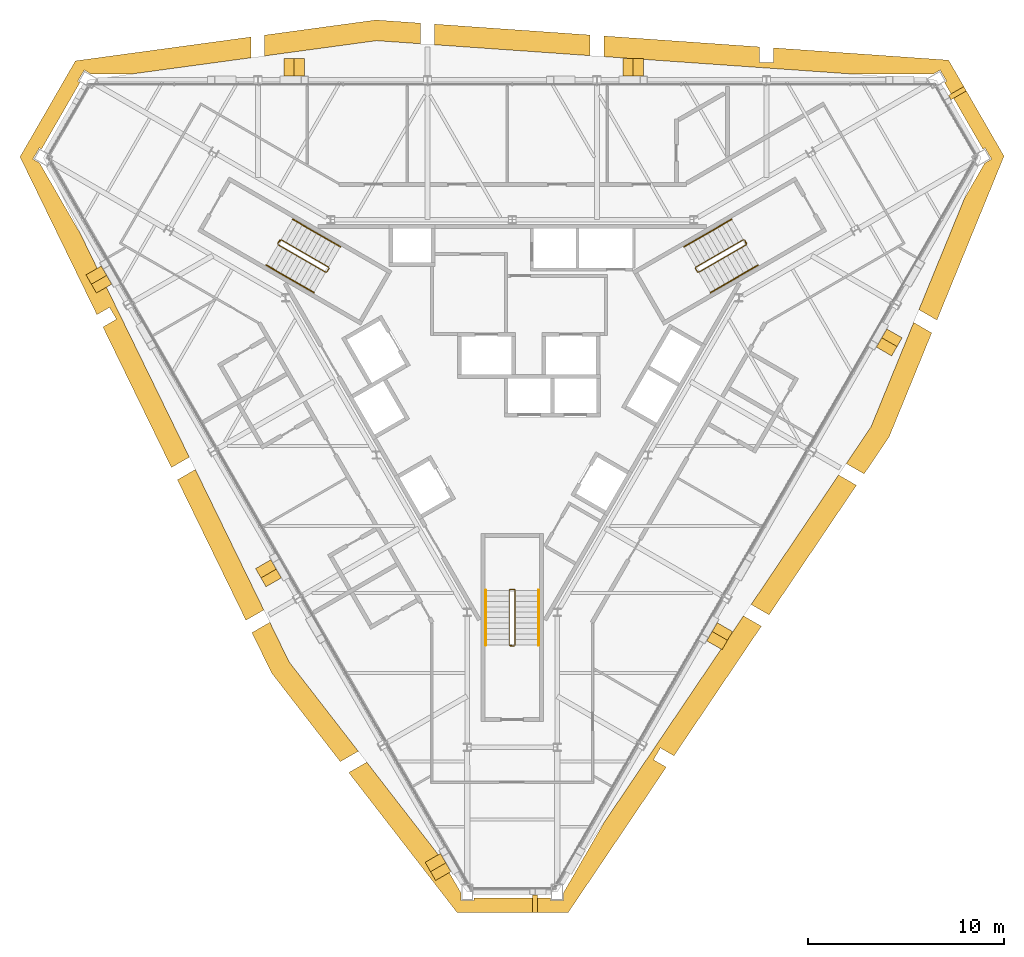
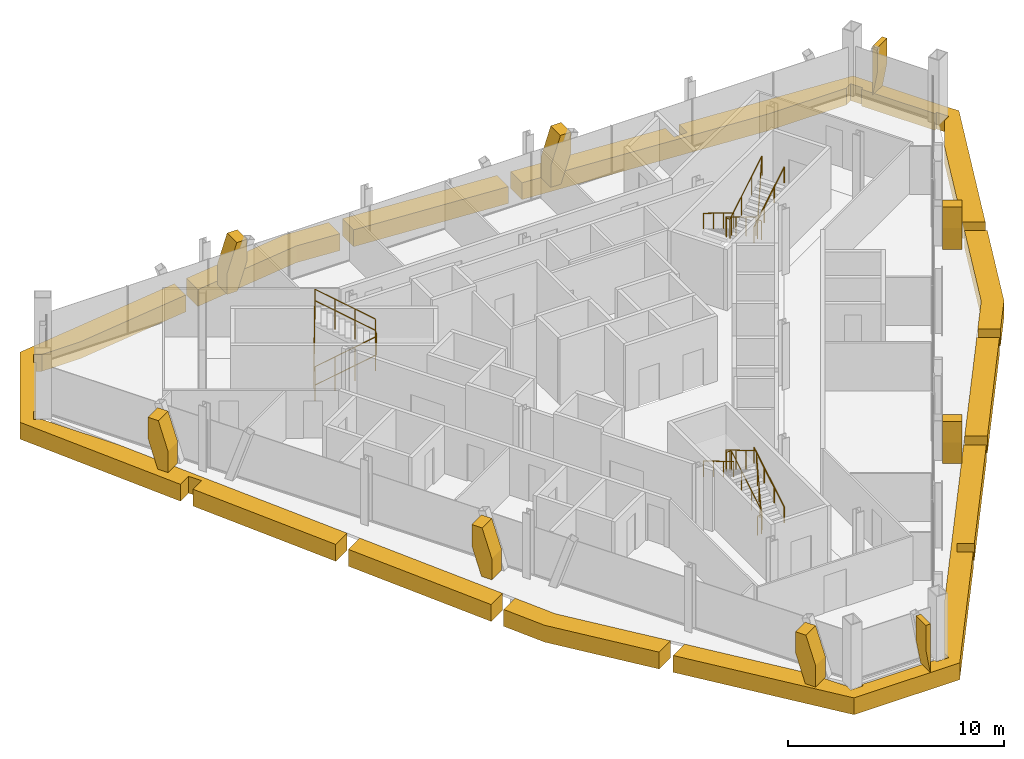
# One storey, part 13 of 13: 18 coverings, 9 railings.
"""IFC4 building model written with IfcOpenShell, lengths in metres."""

import ifcopenshell
import ifcopenshell.guid

model = None  # the IFC model being written
_history = None  # IfcOwnerHistory: only IFC2X3 demands one
_inside = {}  # id of a spatial element -> (the spatial element, [elements in it])
_under = {}  # id of a project, library or spatial element -> (it, [spatial elements below it])
_declared = {}  # id of a project -> (the project, [libraries it declares])
_typed = {}  # id of a type object -> (the type object, [elements of that type])
_made_of = {}  # id of a material, layer set ... -> (it, [elements and type objects made of it])


def new_model(schema):
    """Start an empty IFC model of exactly this schema.

    Asked for "IFC4X3", IfcOpenShell would pick the latest addendum, in which some entities
    have other attributes; the version numbers below select the first issue.
    IFC2X3 requires an IfcOwnerHistory on every rooted entity: one is made here for all.
    """
    global model, _history
    if schema == "IFC4X3":
        model = ifcopenshell.file(schema_version=(4, 3, 0, 0))
    else:
        model = ifcopenshell.file(schema=schema)
    _inside.clear()
    _under.clear()
    _declared.clear()
    _typed.clear()
    _made_of.clear()
    _history = None
    if model.schema == "IFC2X3":
        org = make("IfcOrganization", Name="unknown")
        user = make(
            "IfcPersonAndOrganization",
            ThePerson=make("IfcPerson", FamilyName="unknown"),
            TheOrganization=org,
        )
        app = make(
            "IfcApplication",
            ApplicationDeveloper=org,
            Version="unknown",
            ApplicationFullName="unknown",
            ApplicationIdentifier="unknown",
        )
        _history = make(
            "IfcOwnerHistory",
            OwningUser=user,
            OwningApplication=app,
            ChangeAction="ADDED",
            CreationDate=0,
        )
    return model


def make(cls, **values):
    """One entity of the class cls with the attributes given. An attribute that is None is left unset."""
    return model.create_entity(
        cls, **{name: value for name, value in values.items() if value is not None}
    )


def rooted(cls, **values):
    """An entity with a GlobalId (a new one), such as an element, a storey or a relation."""
    return make(cls, GlobalId=ifcopenshell.guid.new(), OwnerHistory=_history, **values)


def si_unit(unit_type, name, prefix=None):
    """IfcSIUnit, for example si_unit("LENGTHUNIT", "METRE", prefix="MILLI")."""
    return make("IfcSIUnit", UnitType=unit_type, Prefix=prefix, Name=name)


def assignment(units):
    """IfcUnitAssignment: the units of a project."""
    return None if units is None else make("IfcUnitAssignment", Units=units)


def point(xyz):
    """IfcCartesianPoint."""
    return None if xyz is None else make("IfcCartesianPoint", Coordinates=xyz)


def direction(xyz):
    """IfcDirection."""
    return None if xyz is None else make("IfcDirection", DirectionRatios=xyz)


def frame(location, z_axis=None, x_axis=None):
    """IfcAxis2Placement3D, a coordinate frame: its origin and axes. An axis left out is left unset."""
    return make(
        "IfcAxis2Placement3D",
        Location=point(location),
        Axis=direction(z_axis),
        RefDirection=direction(x_axis),
    )


def frame_2d(location, x_axis=None):
    """IfcAxis2Placement2D, a coordinate frame in the plane: its origin and x axis."""
    return make(
        "IfcAxis2Placement2D", Location=point(location), RefDirection=direction(x_axis)
    )


def origin():
    """The frame at (0, 0, 0) with its axes left unset."""
    return frame((0.0, 0.0, 0.0))


def origin_2d():
    """The frame at (0, 0) in the plane with its x axis left unset."""
    return frame_2d((0.0, 0.0))


def place(relative_to, where):
    """IfcLocalPlacement: puts the frame where relative to a parent placement (None: the world)."""
    return make(
        "IfcLocalPlacement", PlacementRelTo=relative_to, RelativePlacement=where
    )


def context(
    kind, dimensions, precision=None, world=None, true_north=None, identifier=None
):
    """IfcGeometricRepresentationContext, for example the 3D "Model" context."""
    return make(
        "IfcGeometricRepresentationContext",
        ContextIdentifier=identifier,
        ContextType=kind,
        CoordinateSpaceDimension=dimensions,
        Precision=precision,
        WorldCoordinateSystem=world,
        TrueNorth=true_north,
    )


def subcontext(parent, identifier, kind, view, scale=None):
    """IfcGeometricRepresentationSubContext, for example "Body" below "Model"."""
    return make(
        "IfcGeometricRepresentationSubContext",
        ContextIdentifier=identifier,
        ContextType=kind,
        ParentContext=parent,
        TargetScale=scale,
        TargetView=view,
    )


def project(units=None, contexts=None):
    """IfcProject with its units and contexts."""
    return rooted(
        "IfcProject",
        Name="project",
        RepresentationContexts=contexts,
        UnitsInContext=assignment(units),
    )


def spatial(cls, under=None, at=None, **own):
    """A site, building, storey or space (cls), placed at a placement, below another one or the project."""
    s = rooted(cls, ObjectPlacement=at, **own)
    if under is not None:
        _under.setdefault(under.id(), (under, []))[1].append(s)
    return s


def polyline(points):
    """IfcPolyline through the points."""
    return make("IfcPolyline", Points=[point(p) for p in points])


def profile(cls, at=None, kind="AREA", **sizes):
    """A parametric profile (cls). Its sizes go by their IFC names, for example OverallWidth=200.0."""
    return make(cls, ProfileType=kind, Position=at, **sizes)


def circle(**sizes):
    """IfcCircleProfileDef."""
    return profile("IfcCircleProfileDef", **sizes)


def outline(outer, holes=None, kind="AREA"):
    """IfcArbitraryClosedProfileDef: a profile drawn as a closed curve; with holes, ...WithVoids."""
    if holes is None:
        return make("IfcArbitraryClosedProfileDef", ProfileType=kind, OuterCurve=outer)
    return make(
        "IfcArbitraryProfileDefWithVoids",
        ProfileType=kind,
        OuterCurve=outer,
        InnerCurves=holes,
    )


def extrude(swept, where, along, depth):
    """IfcExtrudedAreaSolid: the profile swept, set in the frame where, extruded along a direction by depth."""
    return make(
        "IfcExtrudedAreaSolid",
        SweptArea=swept,
        Position=where,
        ExtrudedDirection=direction(along),
        Depth=depth,
    )


def shape(context_of_items, identifier, shape_type, items):
    """IfcShapeRepresentation: the items that make up one representation, for example the "Body"."""
    return make(
        "IfcShapeRepresentation",
        ContextOfItems=context_of_items,
        RepresentationIdentifier=identifier,
        RepresentationType=shape_type,
        Items=items,
    )


def material(Name=None, Category=None):
    """IfcMaterial."""
    return make("IfcMaterial", Name=Name, Category=Category)


def layer(
    of_material, thickness, ventilated=None, Name=None, Category=None, Priority=None
):
    """IfcMaterialLayer: one layer of a wall or slab, of a material (None: an air gap)."""
    return make(
        "IfcMaterialLayer",
        Material=of_material,
        LayerThickness=thickness,
        IsVentilated=ventilated,
        Name=Name,
        Category=Category,
        Priority=Priority,
    )


def layer_set(layers, Name=None):
    """IfcMaterialLayerSet."""
    return make("IfcMaterialLayerSet", MaterialLayers=layers, LayerSetName=Name)


def made_of(thing, what):
    """Note that an element or type object is made of a material, layer set ...; save() writes the relation."""
    if what is not None:
        _made_of.setdefault(what.id(), (what, []))[1].append(thing)
    return thing


def type_object(cls, material=None, **own):
    """A type object (cls), such as IfcWallType, which elements share."""
    return made_of(rooted(cls, **own), material)


def element(
    cls,
    number,
    at=None,
    inside=None,
    cuts=None,
    type_object=None,
    material=None,
    context=None,
    identifier="Body",
    shape_type=None,
    held_by="IfcProductDefinitionShape",
    body=None,
    shapes=None,
    **own,
):
    """One element of the class cls, such as IfcWall. Its Tag is "e" and its number.

    at: its placement. inside: the storey or other place that contains it. cuts: it is an
    opening in that element (IfcRelVoidsElement). A single representation is given by context,
    identifier, shape_type and body (its items); several are given by shapes. held_by: the class
    of the entity that holds the representations. save() writes the other relations.
    """
    e = rooted(cls, Tag="e%d" % number, ObjectPlacement=at, **own)
    if body is not None:
        shapes = [shape(context, identifier, shape_type, body)]
    if shapes is not None:
        e.Representation = make(held_by, Representations=shapes)
    if inside is not None:
        _inside.setdefault(inside.id(), (inside, []))[1].append(e)
    if cuts is not None:
        rooted(
            "IfcRelVoidsElement", RelatingBuildingElement=cuts, RelatedOpeningElement=e
        )
    if type_object is not None:
        _typed.setdefault(type_object.id(), (type_object, []))[1].append(e)
    return made_of(e, material)


def aggregate(whole, parts):
    """IfcRelAggregates: a whole, such as a stair, and the parts it consists of."""
    return rooted("IfcRelAggregates", RelatingObject=whole, RelatedObjects=parts)


def save(model, path):
    """Write the relations noted so far, then the file.

    IfcRelAggregates (storeys below a building ...), IfcRelContainedInSpatialStructure (elements
    in a storey), IfcRelDefinesByType, IfcRelAssociatesMaterial and IfcRelDeclares: one each for
    every whole, place, type object, material and project.
    """
    for whole, parts in _under.values():
        aggregate(whole, parts)
    for where, things in _inside.values():
        rooted(
            "IfcRelContainedInSpatialStructure",
            RelatedElements=things,
            RelatingStructure=where,
        )
    for kind, things in _typed.values():
        rooted("IfcRelDefinesByType", RelatedObjects=things, RelatingType=kind)
    for what, things in _made_of.values():
        rooted("IfcRelAssociatesMaterial", RelatedObjects=things, RelatingMaterial=what)
    for by, libraries in _declared.values():
        rooted("IfcRelDeclares", RelatingContext=by, RelatedDefinitions=libraries)
    model.write(path)


model = new_model("IFC4")

# Units and contexts
model_context = context("Model", 3, precision=1e-05, world=origin(), true_north=direction((0.0, 1.0)))
body_context = subcontext(model_context, "Body", "Model", "MODEL_VIEW")
ifc_project = project(units=[si_unit("LENGTHUNIT", "METRE"), si_unit("AREAUNIT", "SQUARE_METRE"), si_unit("VOLUMEUNIT", "CUBIC_METRE"), si_unit("PLANEANGLEUNIT", "RADIAN"), si_unit("MASSUNIT", "GRAM", prefix="KILO")], contexts=[model_context])

# Site, building, storey
site_placement = place(None, origin())
site = spatial("IfcSite", under=ifc_project, at=site_placement, CompositionType="ELEMENT")
building_placement = place(site_placement, origin())
building = spatial("IfcBuilding", under=site, at=building_placement, Name="Verrane Prism Tower", CompositionType="ELEMENT")
storey_placement = place(building_placement, frame((0.0, 0.0, 210.10009765625)))
storey = spatial("IfcBuildingStorey", under=building, at=storey_placement, Name="L52", CompositionType="ELEMENT", Elevation=210.10009765625)

# Railings
ifc_material_1 = material(Name="Steel A36 rail and posts, no infill", Category="steel")
railing_type_1 = type_object("IfcRailingType", Name="Stair guard 1100 steel rail and posts", PredefinedType="GUARDRAIL", material=ifc_material_1)
railing_1_placement = place(storey_placement, frame((11.78955078125, 6.97998046875, 0.16796875)))
element("IfcRailing", 1, at=railing_1_placement, inside=storey, type_object=railing_type_1, Name="Stair 1 guard", PredefinedType="GUARDRAIL", context=body_context, shape_type="SweptSolid", body=[
    extrude(circle(Radius=0.02392578125, at=origin_2d()), frame((0.0, 0.0, 1.076171875), z_axis=(-0.742366697286, -0.42866220388, 0.514917859203), x_axis=(0.500049511043, -0.865996816683, 0.0)), (0.0, 0.0, 1.0), 3.266357421875),
    extrude(circle(Radius=0.02392578125, at=origin_2d()), frame((-2.4248046875, -1.400146484375, 2.7578125), z_axis=(-0.259601060869, -0.965715946433, 0.0), x_axis=(0.965715946433, -0.259601060869, 0.0)), (0.0, 0.0, 1.0), 0.070556640625),
    extrude(circle(Radius=0.02392578125, at=origin_2d()), frame((-2.443115234375, -1.46826171875, 2.7578125), z_axis=(0.499158860599, -0.866510491504, 0.0), x_axis=(0.866510491504, 0.499158860599, 0.0)), (0.0, 0.0, 1.0), 0.199951171875),
    extrude(circle(Radius=0.02392578125, at=origin_2d()), frame((-2.34326171875, -1.6416015625, 2.7578125), z_axis=(0.374585375571, -0.100335368456, 0.921747584887), x_axis=(0.258736085224, 0.965948051503, 0.0)), (0.0, 0.0, 1.0), 0.182373046875),
    extrude(circle(Radius=0.02392578125, at=origin_2d()), frame((-2.27490234375, -1.659912109375, 2.92626953125), z_axis=(0.742366697286, 0.42866220388, 0.514917859203), x_axis=(-0.500049511043, 0.865996816683, 0.0)), (0.0, 0.0, 1.0), 3.266357421875),
    extrude(circle(Radius=0.02392578125, at=origin_2d()), frame((0.14990234375, -0.259765625, 4.60791015625), z_axis=(-0.021986835041, 0.065104730107, -0.997636182785), x_axis=(-0.947430582667, -0.3199613899, 0.0)), (0.0, 0.0, 1.0), 3.708740234375),
    extrude(circle(Radius=0.02392578125, at=origin_2d()), frame((0.068359375, -0.018310546875, 0.908203125), z_axis=(0.499158860599, -0.866510491504, 0.0), x_axis=(0.866510491504, 0.499158860599, 0.0)), (0.0, 0.0, 1.0), 0.199951171875),
    extrude(circle(Radius=0.02099609375, at=origin_2d()), origin(), (0.0, 0.0, 1.0), 1.052001953125),
    extrude(circle(Radius=0.02099609375, at=origin_2d()), frame((-0.808349609375, -0.466796875, 0.560546875)), (0.0, 0.0, 1.0), 1.052001953125),
    extrude(circle(Radius=0.02099609375, at=origin_2d()), frame((-1.616455078125, -0.933349609375, 1.121337890625)), (0.0, 0.0, 1.0), 1.052001953125),
    extrude(circle(Radius=0.02099609375, at=origin_2d()), frame((-2.4248046875, -1.400146484375, 1.681884765625)), (0.0, 0.0, 1.0), 1.052001953125),
    extrude(circle(Radius=0.02099609375, at=origin_2d()), frame((-2.443115234375, -1.46826171875, 1.681884765625)), (0.0, 0.0, 1.0), 1.052001953125),
    extrude(circle(Radius=0.02099609375, at=origin_2d()), frame((-2.34326171875, -1.6416015625, 1.681884765625)), (0.0, 0.0, 1.0), 1.052001953125),
    extrude(circle(Radius=0.02099609375, at=origin_2d()), frame((-2.27490234375, -1.659912109375, 1.85009765625)), (0.0, 0.0, 1.0), 1.052001953125),
    extrude(circle(Radius=0.02099609375, at=origin_2d()), frame((-1.466552734375, -1.193115234375, 2.41064453125)), (0.0, 0.0, 1.0), 1.052001953125),
    extrude(circle(Radius=0.02099609375, at=origin_2d()), frame((-0.658447265625, -0.7265625, 2.971435546875)), (0.0, 0.0, 1.0), 1.052001953125),
    extrude(circle(Radius=0.02099609375, at=origin_2d()), frame((0.14990234375, -0.259765625, 3.531982421875)), (0.0, 0.0, 1.0), 1.052001953125),
    extrude(circle(Radius=0.02099609375, at=origin_2d()), frame((0.12939453125, -0.199462890625, 2.60693359375)), (0.0, 0.0, 1.0), 1.052001953125),
    extrude(circle(Radius=0.02099609375, at=origin_2d()), frame((0.109130859375, -0.13916015625, 1.68212890625)), (0.0, 0.0, 1.0), 1.052001953125),
    extrude(circle(Radius=0.02099609375, at=origin_2d()), frame((0.0888671875, -0.07861328125, 0.757080078125)), (0.0, 0.0, 1.0), 1.052001953125),
    extrude(circle(Radius=0.02099609375, at=origin_2d()), frame((0.068359375, -0.018310546875, -0.16796875)), (0.0, 0.0, 1.0), 1.052001953125),
    extrude(circle(Radius=0.02099609375, at=origin_2d()), frame((0.168212890625, -0.191650390625, -0.16796875)), (0.0, 0.0, 1.0), 1.052001953125),
])
railing_2_placement = place(storey_placement, frame((-11.939453125, 6.72021484375, 0.16796875)))
element("IfcRailing", 2, at=railing_2_placement, inside=storey, type_object=railing_type_1, Name="Stair 2 guard", PredefinedType="GUARDRAIL", context=body_context, shape_type="SweptSolid", body=[
    extrude(circle(Radius=0.02392578125, at=origin_2d()), frame((0.0, 0.0, 1.076171875), z_axis=(0.742366697286, -0.42866220388, 0.514917859203), x_axis=(0.500049511043, 0.865996816683, 0.0)), (0.0, 0.0, 1.0), 3.266357421875),
    extrude(circle(Radius=0.02392578125, at=origin_2d()), frame((2.4248046875, -1.400146484375, 2.7578125), z_axis=(0.965948051503, 0.258736085224, 0.0), x_axis=(-0.258736085224, 0.965948051503, 0.0)), (0.0, 0.0, 1.0), 0.07080078125),
    extrude(circle(Radius=0.02392578125, at=origin_2d()), frame((2.4931640625, -1.3818359375, 2.7578125), z_axis=(0.499158860599, 0.866510491504, 0.0), x_axis=(-0.866510491504, 0.499158860599, 0.0)), (0.0, 0.0, 1.0), 0.199951171875),
    extrude(circle(Radius=0.02392578125, at=origin_2d()), frame((2.593017578125, -1.20849609375, 2.7578125), z_axis=(-0.100385596638, 0.373434419493, 0.922209014446), x_axis=(-0.965715946433, -0.259601060869, 0.0)), (0.0, 0.0, 1.0), 0.182373046875),
    extrude(circle(Radius=0.02392578125, at=origin_2d()), frame((2.57470703125, -1.140380859375, 2.92626953125), z_axis=(-0.742366697286, 0.42866220388, 0.514917859203), x_axis=(-0.500049511043, -0.865996816683, 0.0)), (0.0, 0.0, 1.0), 3.266357421875),
    extrude(circle(Radius=0.02392578125, at=origin_2d()), frame((0.14990234375, 0.259765625, 4.60791015625), z_axis=(-0.04535595117, -0.051675503147, -0.99763343973), x_axis=(0.751567565678, -0.659656118156, 0.0)), (0.0, 0.0, 1.0), 3.708740234375),
    extrude(circle(Radius=0.02392578125, at=origin_2d()), frame((-0.018310546875, 0.068115234375, 0.908203125), z_axis=(0.499158860599, 0.866510491504, 0.0), x_axis=(-0.866510491504, 0.499158860599, 0.0)), (0.0, 0.0, 1.0), 0.199951171875),
    extrude(circle(Radius=0.02099609375, at=origin_2d()), origin(), (0.0, 0.0, 1.0), 1.052001953125),
    extrude(circle(Radius=0.02099609375, at=origin_2d()), frame((0.808349609375, -0.466796875, 0.560546875)), (0.0, 0.0, 1.0), 1.052001953125),
    extrude(circle(Radius=0.02099609375, at=origin_2d()), frame((1.616455078125, -0.933349609375, 1.121337890625)), (0.0, 0.0, 1.0), 1.052001953125),
    extrude(circle(Radius=0.02099609375, at=origin_2d()), frame((2.4248046875, -1.400146484375, 1.681884765625)), (0.0, 0.0, 1.0), 1.052001953125),
    extrude(circle(Radius=0.02099609375, at=origin_2d()), frame((2.4931640625, -1.3818359375, 1.681884765625)), (0.0, 0.0, 1.0), 1.052001953125),
    extrude(circle(Radius=0.02099609375, at=origin_2d()), frame((2.593017578125, -1.20849609375, 1.681884765625)), (0.0, 0.0, 1.0), 1.052001953125),
    extrude(circle(Radius=0.02099609375, at=origin_2d()), frame((2.57470703125, -1.140380859375, 1.85009765625)), (0.0, 0.0, 1.0), 1.052001953125),
    extrude(circle(Radius=0.02099609375, at=origin_2d()), frame((1.766357421875, -0.673583984375, 2.41064453125)), (0.0, 0.0, 1.0), 1.052001953125),
    extrude(circle(Radius=0.02099609375, at=origin_2d()), frame((0.958251953125, -0.20703125, 2.971435546875)), (0.0, 0.0, 1.0), 1.052001953125),
    extrude(circle(Radius=0.02099609375, at=origin_2d()), frame((0.14990234375, 0.259765625, 3.531982421875)), (0.0, 0.0, 1.0), 1.052001953125),
    extrude(circle(Radius=0.02099609375, at=origin_2d()), frame((0.10791015625, 0.2119140625, 2.60693359375)), (0.0, 0.0, 1.0), 1.052001953125),
    extrude(circle(Radius=0.02099609375, at=origin_2d()), frame((0.06591796875, 0.1640625, 1.68212890625)), (0.0, 0.0, 1.0), 1.052001953125),
    extrude(circle(Radius=0.02099609375, at=origin_2d()), frame((0.023681640625, 0.115966796875, 0.757080078125)), (0.0, 0.0, 1.0), 1.052001953125),
    extrude(circle(Radius=0.02099609375, at=origin_2d()), frame((-0.018310546875, 0.068115234375, -0.16796875)), (0.0, 0.0, 1.0), 1.052001953125),
    extrude(circle(Radius=0.02099609375, at=origin_2d()), frame((0.08154296875, 0.241455078125, -0.16796875)), (0.0, 0.0, 1.0), 1.052001953125),
])
railing_3_placement = place(storey_placement, frame((0.14990234375, -13.699951171875, 0.16796875)))
element("IfcRailing", 3, at=railing_3_placement, inside=storey, type_object=railing_type_1, Name="Stair 3 guard", PredefinedType="GUARDRAIL", context=body_context, shape_type="SweptSolid", body=[
    extrude(circle(Radius=0.02392578125, at=origin_2d()), frame((0.0, 0.0, 1.076171875), z_axis=(0.0, 0.857242210791, 0.514913383045), x_axis=(-1.0, 0.0, 0.0)), (0.0, 0.0, 1.0), 3.266357421875),
    extrude(circle(Radius=0.02392578125, at=origin_2d()), frame((0.0, 2.800048828125, 2.7578125), z_axis=(-0.707106781187, 0.707106781187, 0.0), x_axis=(-0.707106781187, -0.707106781187, 0.0)), (0.0, 0.0, 1.0), 0.0703125),
    extrude(circle(Radius=0.02392578125, at=origin_2d()), frame((-0.0498046875, 2.849853515625, 2.7578125), z_axis=(-1.0, 0.0, 0.0), x_axis=(0.0, -1.0, 0.0)), (0.0, 0.0, 1.0), 0.2001953125),
    extrude(circle(Radius=0.02392578125, at=origin_2d()), frame((-0.25, 2.849853515625, 2.7578125), z_axis=(-0.273106073848, -0.273106073848, 0.922402376869), x_axis=(0.707106781187, -0.707106781187, 0.0)), (0.0, 0.0, 1.0), 0.182373046875),
    extrude(circle(Radius=0.02392578125, at=origin_2d()), frame((-0.2998046875, 2.800048828125, 2.92626953125), z_axis=(0.0, -0.857242210791, 0.514913383045), x_axis=(1.0, 0.0, 0.0)), (0.0, 0.0, 1.0), 3.266357421875),
    extrude(circle(Radius=0.02392578125, at=origin_2d()), frame((-0.2998046875, 0.0, 4.60791015625), z_axis=(0.067408604812, -0.013494886706, -0.997634185476), x_axis=(0.196300278283, 0.98054382908, 0.0)), (0.0, 0.0, 1.0), 3.708740234375),
    extrude(circle(Radius=0.02392578125, at=origin_2d()), frame((-0.0498046875, -0.050048828125, 0.908203125), z_axis=(-1.0, 0.0, 0.0), x_axis=(0.0, -1.0, 0.0)), (0.0, 0.0, 1.0), 0.2001953125),
    extrude(circle(Radius=0.02099609375, at=origin_2d()), origin(), (0.0, 0.0, 1.0), 1.052001953125),
    extrude(circle(Radius=0.02099609375, at=origin_2d()), frame((0.0, 0.933349609375, 0.560546875)), (0.0, 0.0, 1.0), 1.052001953125),
    extrude(circle(Radius=0.02099609375, at=origin_2d()), frame((0.0, 1.86669921875, 1.121337890625)), (0.0, 0.0, 1.0), 1.052001953125),
    extrude(circle(Radius=0.02099609375, at=origin_2d()), frame((0.0, 2.800048828125, 1.681884765625)), (0.0, 0.0, 1.0), 1.052001953125),
    extrude(circle(Radius=0.02099609375, at=origin_2d()), frame((-0.0498046875, 2.849853515625, 1.681884765625)), (0.0, 0.0, 1.0), 1.052001953125),
    extrude(circle(Radius=0.02099609375, at=origin_2d()), frame((-0.25, 2.849853515625, 1.681884765625)), (0.0, 0.0, 1.0), 1.052001953125),
    extrude(circle(Radius=0.02099609375, at=origin_2d()), frame((-0.2998046875, 2.800048828125, 1.85009765625)), (0.0, 0.0, 1.0), 1.052001953125),
    extrude(circle(Radius=0.02099609375, at=origin_2d()), frame((-0.2998046875, 1.86669921875, 2.41064453125)), (0.0, 0.0, 1.0), 1.052001953125),
    extrude(circle(Radius=0.02099609375, at=origin_2d()), frame((-0.2998046875, 0.933349609375, 2.971435546875)), (0.0, 0.0, 1.0), 1.052001953125),
    extrude(circle(Radius=0.02099609375, at=origin_2d()), frame((-0.2998046875, 0.0, 3.531982421875)), (0.0, 0.0, 1.0), 1.052001953125),
    extrude(circle(Radius=0.02099609375, at=origin_2d()), frame((-0.2373046875, -0.012451171875, 2.60693359375)), (0.0, 0.0, 1.0), 1.052001953125),
    extrude(circle(Radius=0.02099609375, at=origin_2d()), frame((-0.1748046875, -0.02490234375, 1.68212890625)), (0.0, 0.0, 1.0), 1.052001953125),
    extrude(circle(Radius=0.02099609375, at=origin_2d()), frame((-0.1123046875, -0.03759765625, 0.757080078125)), (0.0, 0.0, 1.0), 1.052001953125),
    extrude(circle(Radius=0.02099609375, at=origin_2d()), frame((-0.0498046875, -0.050048828125, -0.16796875)), (0.0, 0.0, 1.0), 1.052001953125),
    extrude(circle(Radius=0.02099609375, at=origin_2d()), frame((-0.25, -0.050048828125, -0.16796875)), (0.0, 0.0, 1.0), 1.052001953125),
])
ifc_material_2 = material(Name="Steel A36 tube", Category="steel")
railing_type_2 = type_object("IfcRailingType", Name="Stair handrail 900 steel tube", PredefinedType="HANDRAIL", material=ifc_material_2)
railing_4_placement = place(storey_placement, frame((11.189453125, 8.01904296875, 0.16796875)))
element("IfcRailing", 4, at=railing_4_placement, inside=storey, type_object=railing_type_2, Name="Stair 1 handrail", PredefinedType="HANDRAIL", context=body_context, shape_type="SweptSolid", body=[
    extrude(circle(Radius=0.02392578125, at=origin_2d()), frame((0.0, 0.0, 0.8759765625), z_axis=(-0.742390482028, -0.42860119049, 0.514934356695), x_axis=(0.49998411664, -0.866034573852, 0.0)), (0.0, 0.0, 1.0), 3.26611328125),
    extrude(circle(Radius=0.02099609375, at=origin_2d()), origin(), (0.0, 0.0, 1.0), 0.851806640625),
    extrude(circle(Radius=0.02099609375, at=origin_2d()), frame((-0.808349609375, -0.466552734375, 0.560546875)), (0.0, 0.0, 1.0), 0.851806640625),
    extrude(circle(Radius=0.02099609375, at=origin_2d()), frame((-1.616455078125, -0.933349609375, 1.121337890625)), (0.0, 0.0, 1.0), 0.851806640625),
    extrude(circle(Radius=0.02099609375, at=origin_2d()), frame((-2.4248046875, -1.39990234375, 1.681884765625)), (0.0, 0.0, 1.0), 0.851806640625),
])
railing_5_placement = place(storey_placement, frame((10.11474609375, 4.28076171875, 2.01806640625)))
element("IfcRailing", 5, at=railing_5_placement, inside=storey, type_object=railing_type_2, Name="Stair 1 handrail", PredefinedType="HANDRAIL", context=body_context, shape_type="SweptSolid", body=[
    extrude(circle(Radius=0.02392578125, at=origin_2d()), frame((0.0, 0.0, 0.8759765625), z_axis=(0.742366697286, 0.42866220388, 0.514917859203), x_axis=(-0.500049511043, 0.865996816683, 0.0)), (0.0, 0.0, 1.0), 3.266357421875),
    extrude(circle(Radius=0.02099609375, at=origin_2d()), origin(), (0.0, 0.0, 1.0), 0.851806640625),
    extrude(circle(Radius=0.02099609375, at=origin_2d()), frame((0.808349609375, 0.466796875, 0.560546875)), (0.0, 0.0, 1.0), 0.851806640625),
    extrude(circle(Radius=0.02099609375, at=origin_2d()), frame((1.616455078125, 0.933349609375, 1.121337890625)), (0.0, 0.0, 1.0), 0.851806640625),
    extrude(circle(Radius=0.02099609375, at=origin_2d()), frame((2.4248046875, 1.400146484375, 1.681884765625)), (0.0, 0.0, 1.0), 0.851806640625),
])
railing_6_placement = place(storey_placement, frame((-12.53955078125, 5.680908203125, 0.16796875)))
element("IfcRailing", 6, at=railing_6_placement, inside=storey, type_object=railing_type_2, Name="Stair 2 handrail", PredefinedType="HANDRAIL", context=body_context, shape_type="SweptSolid", body=[
    extrude(circle(Radius=0.02392578125, at=origin_2d()), frame((0.0, 0.0, 0.8759765625), z_axis=(0.742366697286, -0.42866220388, 0.514917859203), x_axis=(0.500049511043, 0.865996816683, 0.0)), (0.0, 0.0, 1.0), 3.266357421875),
    extrude(circle(Radius=0.02099609375, at=origin_2d()), origin(), (0.0, 0.0, 1.0), 0.851806640625),
    extrude(circle(Radius=0.02099609375, at=origin_2d()), frame((0.808349609375, -0.466796875, 0.560546875)), (0.0, 0.0, 1.0), 0.851806640625),
    extrude(circle(Radius=0.02099609375, at=origin_2d()), frame((1.616455078125, -0.933349609375, 1.121337890625)), (0.0, 0.0, 1.0), 0.851806640625),
    extrude(circle(Radius=0.02099609375, at=origin_2d()), frame((2.4248046875, -1.400146484375, 1.681884765625)), (0.0, 0.0, 1.0), 0.851806640625),
])
railing_7_placement = place(storey_placement, frame((-8.7646484375, 6.619140625, 2.01806640625)))
element("IfcRailing", 7, at=railing_7_placement, inside=storey, type_object=railing_type_2, Name="Stair 2 handrail", PredefinedType="HANDRAIL", context=body_context, shape_type="SweptSolid", body=[
    extrude(circle(Radius=0.02392578125, at=origin_2d()), frame((0.0, 0.0, 0.8759765625), z_axis=(-0.742390482028, 0.42860119049, 0.514934356695), x_axis=(-0.49998411664, -0.866034573852, 0.0)), (0.0, 0.0, 1.0), 3.26611328125),
    extrude(circle(Radius=0.02099609375, at=origin_2d()), origin(), (0.0, 0.0, 1.0), 0.851806640625),
    extrude(circle(Radius=0.02099609375, at=origin_2d()), frame((-0.808349609375, 0.466552734375, 0.560546875)), (0.0, 0.0, 1.0), 0.851806640625),
    extrude(circle(Radius=0.02099609375, at=origin_2d()), frame((-1.616455078125, 0.933349609375, 1.121337890625)), (0.0, 0.0, 1.0), 0.851806640625),
    extrude(circle(Radius=0.02099609375, at=origin_2d()), frame((-2.4248046875, 1.39990234375, 1.681884765625)), (0.0, 0.0, 1.0), 0.851806640625),
])
railing_8_placement = place(storey_placement, frame((1.35009765625, -13.699951171875, 0.16796875)))
element("IfcRailing", 8, at=railing_8_placement, inside=storey, type_object=railing_type_2, Name="Stair 3 handrail", PredefinedType="HANDRAIL", context=body_context, shape_type="SweptSolid", body=[
    extrude(circle(Radius=0.02392578125, at=origin_2d()), frame((0.0, 0.0, 0.8759765625), z_axis=(0.0, 0.857242210791, 0.514913383045), x_axis=(-1.0, 0.0, 0.0)), (0.0, 0.0, 1.0), 3.266357421875),
    extrude(circle(Radius=0.02099609375, at=origin_2d()), origin(), (0.0, 0.0, 1.0), 0.851806640625),
    extrude(circle(Radius=0.02099609375, at=origin_2d()), frame((0.0, 0.933349609375, 0.560546875)), (0.0, 0.0, 1.0), 0.851806640625),
    extrude(circle(Radius=0.02099609375, at=origin_2d()), frame((0.0, 1.86669921875, 1.121337890625)), (0.0, 0.0, 1.0), 0.851806640625),
    extrude(circle(Radius=0.02099609375, at=origin_2d()), frame((0.0, 2.800048828125, 1.681884765625)), (0.0, 0.0, 1.0), 0.851806640625),
])
railing_9_placement = place(storey_placement, frame((-1.35009765625, -10.89990234375, 2.01806640625)))
element("IfcRailing", 9, at=railing_9_placement, inside=storey, type_object=railing_type_2, Name="Stair 3 handrail", PredefinedType="HANDRAIL", context=body_context, shape_type="SweptSolid", body=[
    extrude(circle(Radius=0.02392578125, at=origin_2d()), frame((0.0, 0.0, 0.8759765625), z_axis=(0.0, -0.857242210791, 0.514913383045), x_axis=(1.0, 0.0, 0.0)), (0.0, 0.0, 1.0), 3.266357421875),
    extrude(circle(Radius=0.02099609375, at=origin_2d()), origin(), (0.0, 0.0, 1.0), 0.851806640625),
    extrude(circle(Radius=0.02099609375, at=origin_2d()), frame((0.0, -0.933349609375, 0.560546875)), (0.0, 0.0, 1.0), 0.851806640625),
    extrude(circle(Radius=0.02099609375, at=origin_2d()), frame((0.0, -1.86669921875, 1.121337890625)), (0.0, 0.0, 1.0), 0.851806640625),
    extrude(circle(Radius=0.02099609375, at=origin_2d()), frame((0.0, -2.800048828125, 1.681884765625)), (0.0, 0.0, 1.0), 0.851806640625),
])

# Coverings
ifc_material_3 = material(Name="Warm limestone cladding", Category="masonry")
ifc_layer_1 = layer(ifc_material_3, 0.89990234375)
ifc_layer_set_1 = layer_set([ifc_layer_1], Name="Stone brace fin 900")
covering_type_1 = type_object("IfcCoveringType", Name="Stone brace fin 900", PredefinedType="CLADDING", material=ifc_layer_set_1)
for number, where, z_axis, x_axis, name in (
    (10, (5.639892578125, 15.783203125, 0.0), (0.0, 0.0, 1.0), (1.0, 0.0, 0.0), "Stone brace fin N2 L52"),
    (11, (-11.650146484375, 15.783203125, 0.0), (0.0, 0.0, 1.0), (1.0, 0.0, 0.0), "Stone brace fin N4 L52"),
):
    element("IfcCovering", number, at=place(storey_placement, frame(where, z_axis=z_axis, x_axis=x_axis)), inside=storey, type_object=covering_type_1, Name=name, PredefinedType="CLADDING", context=body_context, shape_type="SweptSolid", body=[
        extrude(outline(polyline([(1.0673828125, 2.75), (0.516357421875, 2.75), (0.0, 1.20361328125), (0.0, 0.0), (0.546875, 0.0), (1.0673828125, 1.558837890625), (1.0673828125, 2.75)])), frame((0.0, 0.449951171875, 0.0), z_axis=(0.0, -1.0, 0.0), x_axis=(1.0, 0.0, 0.0)), (0.0, 0.0, 1.0), 0.89990234375),
    ])
covering_1_placement = place(storey_placement, frame((-20.81494140625, 4.486572265625, 0.0), z_axis=(0.0, 0.0, 1.0), x_axis=(-0.499682839614, 0.866208439001, 0.0)))
element("IfcCovering", 12, at=covering_1_placement, inside=storey, type_object=covering_type_1, Name="Stone brace fin SW1 L52", PredefinedType="CLADDING", context=body_context, shape_type="SweptSolid", body=[
    extrude(outline(polyline([(1.067138671875, 2.75), (0.51611328125, 2.75), (0.0, 1.2041015625), (0.0, 0.0), (0.546875, 0.0), (1.067138671875, 1.558349609375), (1.067138671875, 2.75)])), frame((0.0, 0.449951171875, 0.0), z_axis=(0.0, -1.0, 0.0), x_axis=(1.0, 0.0, 0.0)), (0.0, 0.0, 1.0), 0.89990234375),
])
for number, where, z_axis, x_axis, name in (
    (13, (-12.166259765625, -10.494140625, 0.0), (0.0, 0.0, 1.0), (-0.500269979257, 0.865869475068, 0.0), "Stone brace fin SW3 L52"),
    (14, (-3.51611328125, -25.47412109375, 0.0), (0.0, 0.0, 1.0), (-0.500540438407, 0.865713156605, 0.0), "Stone brace fin SW5 L52"),
):
    element("IfcCovering", number, at=place(storey_placement, frame(where, z_axis=z_axis, x_axis=x_axis)), inside=storey, type_object=covering_type_1, Name=name, PredefinedType="CLADDING", context=body_context, shape_type="SweptSolid", body=[
        extrude(outline(polyline([(1.067626953125, 2.75), (0.5166015625, 2.75), (0.0, 1.20361328125), (0.0, 0.0), (0.546875, 0.0), (1.067626953125, 1.55908203125), (1.067626953125, 2.75)])), frame((0.0, 0.449951171875, 0.0), z_axis=(0.0, -1.0, 0.0), x_axis=(1.0, 0.0, 0.0)), (0.0, 0.0, 1.0), 0.89990234375),
    ])
for number, where, z_axis, x_axis, name in (
    (15, (10.8466796875, -12.779052734375, 0.0), (0.0, 0.0, 1.0), (-0.499583827826, -0.866265547609, 0.0), "Stone brace fin SE2 L52"),
    (16, (19.49658203125, 2.200927734375, 0.0), (0.0, 0.0, 1.0), (-0.499682839614, -0.866208439001, 0.0), "Stone brace fin SE4 L52"),
):
    element("IfcCovering", number, at=place(storey_placement, frame(where, z_axis=z_axis, x_axis=x_axis)), inside=storey, type_object=covering_type_1, Name=name, PredefinedType="CLADDING", context=body_context, shape_type="SweptSolid", body=[
        extrude(outline(polyline([(1.067138671875, 2.75), (0.51611328125, 2.75), (0.0, 1.2041015625), (0.0, 0.0), (0.546875, 0.0), (1.067138671875, 1.558349609375), (1.067138671875, 2.75)])), frame((0.0, 0.449951171875, 0.0), z_axis=(0.0, -1.0, 0.0), x_axis=(1.0, 0.0, 0.0)), (0.0, 0.0, 1.0), 0.89990234375),
    ])
for number, where, z_axis, x_axis, name in (
    (17, (22.6416015625, 14.564453125, 0.0), (0.0, 0.0, 1.0), (0.500024172624, -0.866011447264, 0.0), "Stone brace fin NE1 L52"),
    (18, (1.290283203125, -26.892333984375, 0.0), (0.0, 0.0, 1.0), (-1.0, 0.0, 0.0), "Stone brace fin S1 L52"),
):
    element("IfcCovering", number, at=place(storey_placement, frame(where, z_axis=z_axis, x_axis=x_axis)), inside=storey, type_object=covering_type_1, Name=name, PredefinedType="CLADDING", context=body_context, shape_type="SweptSolid", body=[
        extrude(outline(polyline([(0.256591796875, 2.75), (0.0, 2.75), (0.0, 0.0), (0.014892578125, 0.0), (0.256591796875, 1.365478515625), (0.256591796875, 2.75)])), frame((0.0, 0.449951171875, 0.0), z_axis=(0.0, -1.0, 0.0), x_axis=(1.0, 0.0, 0.0)), (0.0, 0.0, 1.0), 0.89990234375),
    ])
ifc_material_4 = material(Name="Warm limestone cladding", Category="masonry")
ifc_layer_2 = layer(ifc_material_4, 0.449951171875)
ifc_layer_set_2 = layer_set([ifc_layer_2], Name="Stone spandrel band 450")
covering_type_2 = type_object("IfcCoveringType", Name="Stone spandrel band 450", PredefinedType="CLADDING", material=ifc_layer_set_2)
covering_2_placement = place(storey_placement, frame((0.0, 0.0, -0.9501953125)))
element("IfcCovering", 19, at=covering_2_placement, inside=storey, type_object=covering_type_2, Name="Stone spandrel band L52 part 1", PredefinedType="CLADDING", context=body_context, shape_type="SweptSolid", body=[
    extrude(outline(polyline([(2.84912109375, -27.341796875), (7.85595703125, -19.92138671875), (7.20458984375, -19.545166015625), (7.5546875, -18.93896484375), (8.24853515625, -19.339599609375), (12.70556640625, -12.733642578125), (11.7939453125, -12.207275390625), (4.691650390625, -22.73388671875), (3.776611328125, -24.31884765625), (3.77880859375, -24.323974609375), (3.77197265625, -24.326904296875), (2.6201171875, -26.322021484375), (2.6201171875, -26.719970703125), (1.9599609375, -26.719970703125), (1.9599609375, -26.591796875), (-1.9599609375, -26.591796875), (-1.9599609375, -26.719970703125), (-2.6201171875, -26.719970703125), (-2.6201171875, -26.322021484375), (-3.653564453125, -24.53173828125), (-7.41845703125, -19.668701171875), (-8.336181640625, -20.198486328125), (-2.805908203125, -27.341796875), (2.84912109375, -27.341796875)])), origin(), (0.0, 0.0, 1.0), 0.9501953125),
])
covering_3_placement = place(storey_placement, frame((0.0, 0.0, -0.9501953125)))
element("IfcCovering", 20, at=covering_3_placement, inside=storey, type_object=covering_type_2, Name="Stone spandrel band L52 part 2", PredefinedType="CLADDING", context=body_context, shape_type="SweptSolid", body=[
    extrude(outline(polyline([(4.6748046875, 17.3701171875), (4.6748046875, 16.317626953125), (17.34228515625, 15.429931640625), (19.1748046875, 15.429931640625), (19.176513671875, 15.432373046875), (19.1796875, 15.429931640625), (21.4794921875, 15.429931640625), (21.827392578125, 15.630859375), (22.157470703125, 15.05908203125), (22.047607421875, 14.995849609375), (24.00927734375, 11.598388671875), (24.117431640625, 11.660888671875), (24.447509765625, 11.089111328125), (24.105224609375, 10.8916015625), (23.072021484375, 9.101806640625), (20.74267578125, 3.409912109375), (21.660400390625, 2.8798828125), (25.081787109375, 11.240966796875), (22.254150390625, 16.138427734375), (13.32421875, 16.76416015625), (13.32421875, 16.01416015625), (12.624267578125, 16.01416015625), (12.624267578125, 16.813232421875), (4.6748046875, 17.3701171875)])), origin(), (0.0, 0.0, 1.0), 0.9501953125),
])
covering_4_placement = place(storey_placement, frame((0.0, 0.0, -0.9501953125)))
element("IfcCovering", 21, at=covering_4_placement, inside=storey, type_object=covering_type_2, Name="Stone spandrel band L52 part 3", PredefinedType="CLADDING", context=body_context, shape_type="SweptSolid", body=[
    extrude(outline(polyline([(-17.38037109375, -4.63671875), (-16.46875, -4.1103515625), (-22.033935546875, 7.303955078125), (-24.105224609375, 10.8916015625), (-24.447509765625, 11.089111328125), (-24.117431640625, 11.660888671875), (-24.00927734375, 11.598388671875), (-22.047607421875, 14.995849609375), (-22.157470703125, 15.05908203125), (-21.827392578125, 15.630859375), (-21.4794921875, 15.429931640625), (-19.418212890625, 15.429931640625), (-13.32421875, 16.2587890625), (-13.32421875, 17.318603515625), (-22.275634765625, 16.10107421875), (-25.103271484375, 11.20361328125), (-21.180419921875, 3.1572265625), (-20.53271484375, 3.531005859375), (-20.1826171875, 2.9248046875), (-20.872802734375, 2.5263671875), (-17.38037109375, -4.63671875)])), origin(), (0.0, 0.0, 1.0), 0.9501953125),
])
covering_5_placement = place(storey_placement, frame((0.0, 0.0, -0.9501953125)))
element("IfcCovering", 22, at=covering_5_placement, inside=storey, type_object=covering_type_2, Name="Stone spandrel band L52 part 4", PredefinedType="CLADDING", context=body_context, shape_type="SweptSolid", body=[
    extrude(outline(polyline([(-12.6689453125, -11.904052734375), (-16.161376953125, -4.7412109375), (-17.072998046875, -5.267333984375), (-13.58056640625, -12.430419921875), (-12.6689453125, -11.904052734375)])), origin(), (0.0, 0.0, 1.0), 0.9501953125),
])
covering_6_placement = place(storey_placement, frame((0.0, 0.0, -0.9501953125)))
element("IfcCovering", 23, at=covering_6_placement, inside=storey, type_object=covering_type_2, Name="Stone spandrel band L52 part 5", PredefinedType="CLADDING", context=body_context, shape_type="SweptSolid", body=[
    extrude(outline(polyline([(-7.850830078125, -19.110107421875), (-11.375244140625, -14.5576171875), (-12.361328125, -12.534912109375), (-13.27294921875, -13.06103515625), (-12.271484375, -15.114990234375), (-8.7685546875, -19.639892578125), (-7.850830078125, -19.110107421875)])), origin(), (0.0, 0.0, 1.0), 0.9501953125),
])
covering_7_placement = place(storey_placement, frame((0.0, 0.0, -0.9501953125)))
element("IfcCovering", 24, at=covering_7_placement, inside=storey, type_object=covering_type_2, Name="Stone spandrel band L52 part 6", PredefinedType="CLADDING", context=body_context, shape_type="SweptSolid", body=[
    extrude(outline(polyline([(17.55517578125, -5.5458984375), (16.643798828125, -5.01953125), (12.1865234375, -11.62548828125), (13.09814453125, -12.15185546875), (17.55517578125, -5.5458984375)])), origin(), (0.0, 0.0, 1.0), 0.9501953125),
])
covering_8_placement = place(storey_placement, frame((0.0, 0.0, -0.9501953125)))
element("IfcCovering", 25, at=covering_8_placement, inside=storey, type_object=covering_type_2, Name="Stone spandrel band L52 part 7", PredefinedType="CLADDING", context=body_context, shape_type="SweptSolid", body=[
    extrude(outline(polyline([(21.392822265625, 2.22607421875), (20.47509765625, 2.756103515625), (18.294921875, -2.572509765625), (17.0361328125, -4.43798828125), (17.94775390625, -4.964111328125), (19.2255859375, -3.070068359375), (21.392822265625, 2.22607421875)])), origin(), (0.0, 0.0, 1.0), 0.9501953125),
])
covering_9_placement = place(storey_placement, frame((0.0, 0.0, -0.9501953125)))
element("IfcCovering", 26, at=covering_9_placement, inside=storey, type_object=covering_type_2, Name="Stone spandrel band L52 part 8", PredefinedType="CLADDING", context=body_context, shape_type="SweptSolid", body=[
    extrude(outline(polyline([(-3.974853515625, 16.923583984375), (3.974853515625, 16.36669921875), (3.974853515625, 17.419189453125), (-3.974853515625, 17.976318359375), (-3.974853515625, 16.923583984375)])), origin(), (0.0, 0.0, 1.0), 0.9501953125),
])
covering_10_placement = place(storey_placement, frame((0.0, 0.0, -0.9501953125)))
element("IfcCovering", 27, at=covering_10_placement, inside=storey, type_object=covering_type_2, Name="Stone spandrel band L52 part 9", PredefinedType="CLADDING", context=body_context, shape_type="SweptSolid", body=[
    extrude(outline(polyline([(-12.624267578125, 16.35400390625), (-6.919677734375, 17.1298828125), (-4.6748046875, 16.97265625), (-4.6748046875, 18.025390625), (-6.9541015625, 18.18505859375), (-12.624267578125, 17.413818359375), (-12.624267578125, 16.35400390625)])), origin(), (0.0, 0.0, 1.0), 0.9501953125),
])

save(model, "model.ifc")
